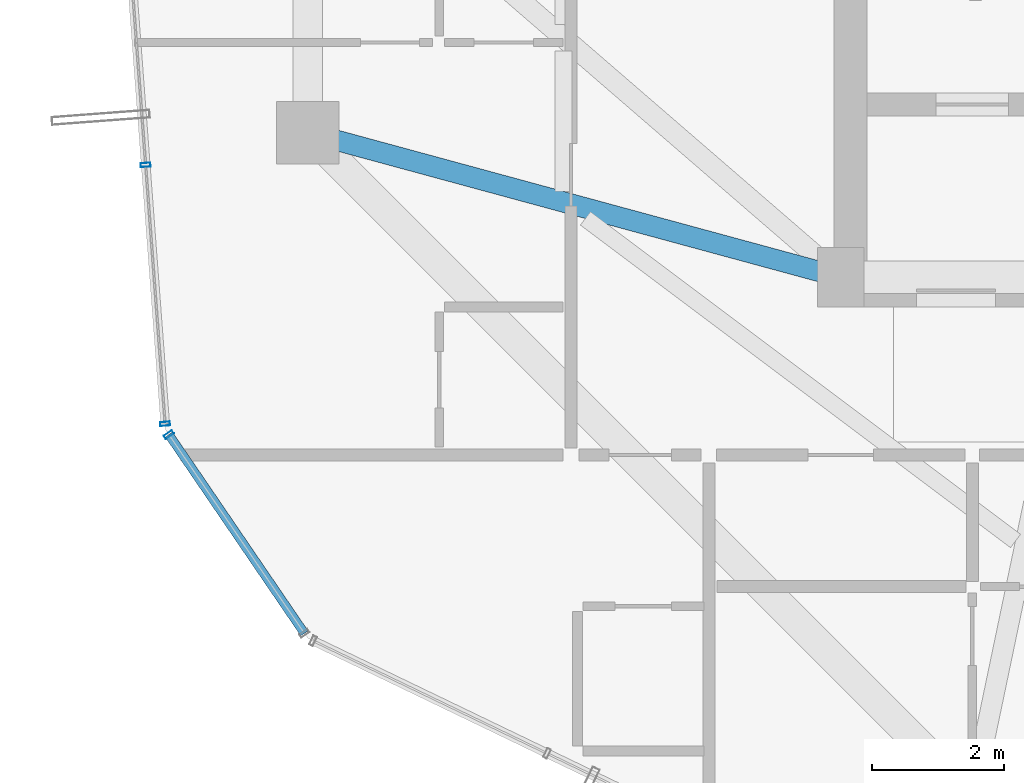
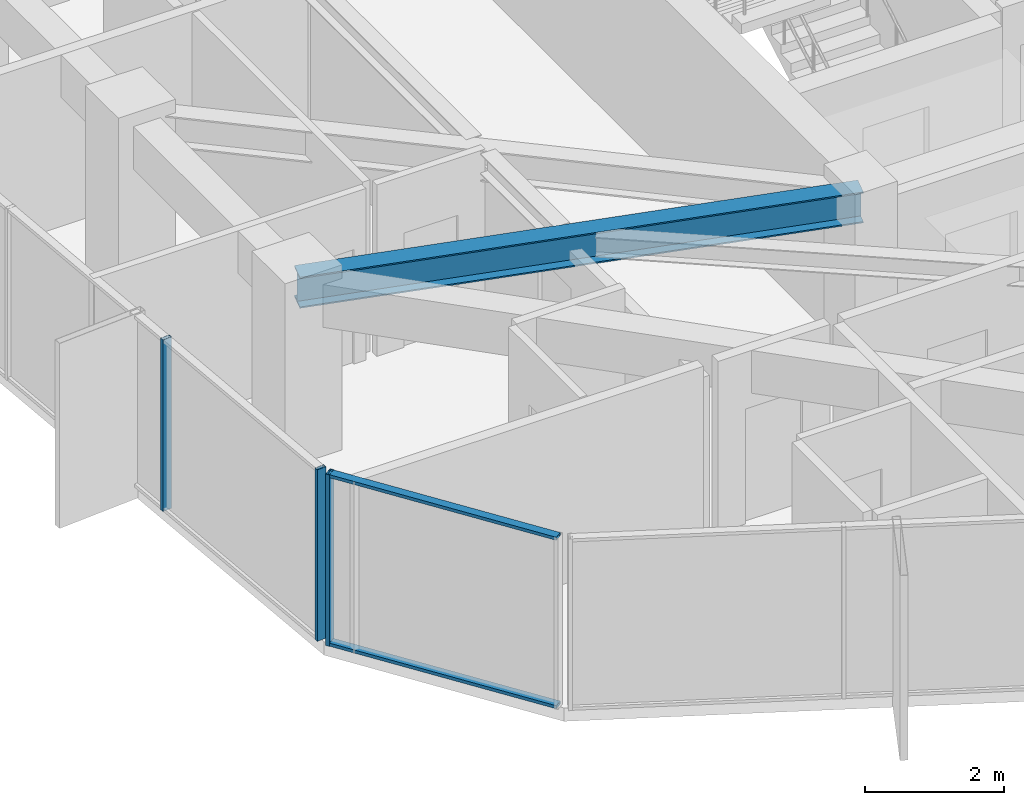
# One storey, part 5 of 34: 5 members, 1 beam, 2 elements without a shape of their own.
"""IFC4 building model written with IfcOpenShell, lengths in metres."""

from ifc_helpers import new_model, si_unit, direction, frame, origin, origin_2d, place, context, subcontext, project, spatial, hollow_rectangle, i_section, extrude, source, transform, mapped, material, layer, layer_set, material_profile, profile_set, type_object, element, aggregate, save


model = new_model("IFC4")

# Units and contexts
model_context = context("Model", 3, precision=1e-05, world=origin(), true_north=direction((0.0, 1.0)))
body_context = subcontext(model_context, "Body", "Model", "MODEL_VIEW")
ifc_project = project(units=[si_unit("LENGTHUNIT", "METRE"), si_unit("AREAUNIT", "SQUARE_METRE"), si_unit("VOLUMEUNIT", "CUBIC_METRE"), si_unit("PLANEANGLEUNIT", "RADIAN"), si_unit("MASSUNIT", "GRAM", prefix="KILO")], contexts=[model_context])

# Site, building, storey
site_placement = place(None, origin())
site = spatial("IfcSite", under=ifc_project, at=site_placement, CompositionType="ELEMENT")
building_placement = place(site_placement, origin())
building = spatial("IfcBuilding", under=site, at=building_placement, Name="Veraguas Prism Commons", CompositionType="ELEMENT")
storey_placement = place(building_placement, frame((0.0, 0.0, 191.85009765625)))
storey = spatial("IfcBuildingStorey", under=building, at=storey_placement, Name="L54", CompositionType="ELEMENT", Elevation=191.85009765625)

# Beam
ifc_material_1 = material(Name="Steel ASTM A992 Grade 50", Category="steel")
ifc_material_profile_1 = material_profile(ifc_material_1, i_section(OverallWidth=0.31103515625, OverallDepth=0.5458984375, WebThickness=0.0146484375, FlangeThickness=0.023681640625, at=origin_2d()), Name="W530X165")
ifc_profile_set_1 = profile_set([ifc_material_profile_1], Name="Steel ASTM A992 Grade 50")
beam_type = type_object("IfcBeamType", Name="Zone 3 Radial Girder W530x165", PredefinedType="BEAM", material=ifc_profile_set_1)
beam_placement = place(storey_placement, frame((9.10009765625, 19.199951171875, 2.741943359375), z_axis=(0.965038506703, -0.262108146725, 0.0), x_axis=(0.262108146725, 0.965038506703, 0.0)))
element("IfcBeam", 1, at=beam_placement, inside=storey, type_object=beam_type, Name="Radial Floor Girder L54-RD09", PredefinedType="BEAM", context=body_context, shape_type="SweptSolid", body=[
    extrude(i_section(OverallWidth=0.31103515625, OverallDepth=0.5458984375, WebThickness=0.0146484375, FlangeThickness=0.023681640625, at=origin_2d()), origin(), (0.0, 0.0, 1.0), 8.393310546875),
])

# Curtain wall, members
ifc_material_2 = material(Name="Anodised aluminium EN AW-6063 T6", Category="aluminium")
ifc_layer = layer(ifc_material_2, 0.14990234375, Name="Unitised Flush Curtain Wall Zone 3", Category="aluminium")
ifc_layer_set = layer_set([ifc_layer], Name="Anodised aluminium EN AW-6063 T6")
curtain_wall_type = type_object("IfcCurtainWallType", Name="Unitised Flush Curtain Wall Zone 3", PredefinedType="NOTDEFINED", material=ifc_layer_set)
curtain_wall_1_placement = place(storey_placement, origin())
curtain_wall_1 = element("IfcCurtainWall", 2, at=curtain_wall_1_placement, inside=storey, type_object=curtain_wall_type, Name="Tower Facade Curtain Wall L54-F3", PredefinedType="NOTDEFINED")
ifc_material_profile_2 = material_profile(ifc_material_2, hollow_rectangle(XDim=0.06005859375, YDim=0.14990234375, WallThickness=0.0029296875, at=origin_2d()), Name="AL60X150X3")
ifc_profile_set_2 = profile_set([ifc_material_profile_2], Name="Anodised aluminium EN AW-6063 T6")
member_type_1 = type_object("IfcMemberType", Name="Curtain Wall Mullion Upper AL 60x150x3", PredefinedType="MULLION", material=ifc_profile_set_2)
shared_shape_1 = source(origin(), body_context, "Body", "SweptSolid", [
    extrude(hollow_rectangle(XDim=0.06005859375, YDim=0.14990234375, WallThickness=0.0029296875, at=origin_2d()), origin(), (0.0, 0.0, 1.0), 3.014892578125),
])
member_1_placement = place(storey_placement, frame((6.6376953125, 18.707763671875, 0.0), z_axis=(0.0, 0.0, 1.0), x_axis=(0.074975245993, -0.997185395244, 0.0)))
member_1 = element("IfcMember", 3, at=member_1_placement, type_object=member_type_1, Name="CW-Z3 Mullion 4", PredefinedType="MULLION", context=body_context, shape_type="MappedRepresentation", body=[
    mapped(shared_shape_1, transform((0.0, 0.0, 0.0), scale=1.0)),
])
member_2_placement = place(storey_placement, frame((6.93359375, 14.773193359375, 0.0), z_axis=(0.0, 0.0, 1.0), x_axis=(0.074975245993, -0.997185395244, 0.0)))
member_2 = element("IfcMember", 4, at=member_2_placement, type_object=member_type_1, Name="CW-Z3 Mullion 5", PredefinedType="MULLION", context=body_context, shape_type="MappedRepresentation", body=[
    mapped(shared_shape_1, transform((0.0, 0.0, 0.0), scale=1.0)),
])
aggregate(curtain_wall_1, [member_1, member_2])

curtain_wall_2_placement = place(storey_placement, origin())
curtain_wall_2 = element("IfcCurtainWall", 5, at=curtain_wall_2_placement, inside=storey, type_object=curtain_wall_type, Name="Chamfer Curtain Wall L54-C4", PredefinedType="NOTDEFINED")
member_3_placement = place(storey_placement, frame((6.990966796875, 14.609130859375, 0.0), z_axis=(0.0, 0.0, 1.0), x_axis=(0.563553443085, -0.82607960681, 0.0)))
member_3 = element("IfcMember", 6, at=member_3_placement, type_object=member_type_1, Name="CW-Z3 Mullion 1", PredefinedType="MULLION", context=body_context, shape_type="MappedRepresentation", body=[
    mapped(shared_shape_1, transform((0.0, 0.0, 0.0), scale=1.0)),
])
ifc_material_profile_3 = material_profile(ifc_material_2, hollow_rectangle(XDim=0.054931640625, YDim=0.135009765625, WallThickness=0.0029296875, at=origin_2d()), Name="AL55X135X3")
ifc_profile_set_3 = profile_set([ifc_material_profile_3], Name="Anodised aluminium EN AW-6063 T6")
member_type_2 = type_object("IfcMemberType", Name="Curtain Wall Transom Standard AL 55x135x3", PredefinedType="USERDEFINED", material=ifc_profile_set_3)
shared_shape_2 = source(origin(), body_context, "Body", "SweptSolid", [
    extrude(hollow_rectangle(XDim=0.054931640625, YDim=0.135009765625, WallThickness=0.0029296875, at=origin_2d()), origin(), (0.0, 0.0, 1.0), 3.654296875),
])
member_4_placement = place(storey_placement, frame((6.990966796875, 14.609130859375, 0.02734375), z_axis=(0.563533749074, -0.826093041766, 0.0), x_axis=(0.0, 0.0, 1.0)))
member_4 = element("IfcMember", 7, at=member_4_placement, type_object=member_type_2, Name="CW-Z3 Transom 1", ObjectType="TRANSOM", PredefinedType="USERDEFINED", context=body_context, shape_type="MappedRepresentation", body=[
    mapped(shared_shape_2, transform((0.0, 0.0, 0.0), scale=1.0)),
])
member_5_placement = place(storey_placement, frame((6.990966796875, 14.609130859375, 2.9873046875), z_axis=(0.563533749074, -0.826093041766, 0.0), x_axis=(0.0, 0.0, 1.0)))
member_5 = element("IfcMember", 8, at=member_5_placement, type_object=member_type_2, Name="CW-Z3 Transom 2", ObjectType="TRANSOM", PredefinedType="USERDEFINED", context=body_context, shape_type="MappedRepresentation", body=[
    mapped(shared_shape_2, transform((0.0, 0.0, 0.0), scale=1.0)),
])
aggregate(curtain_wall_2, [member_3, member_4, member_5])

save(model, "model.ifc")
